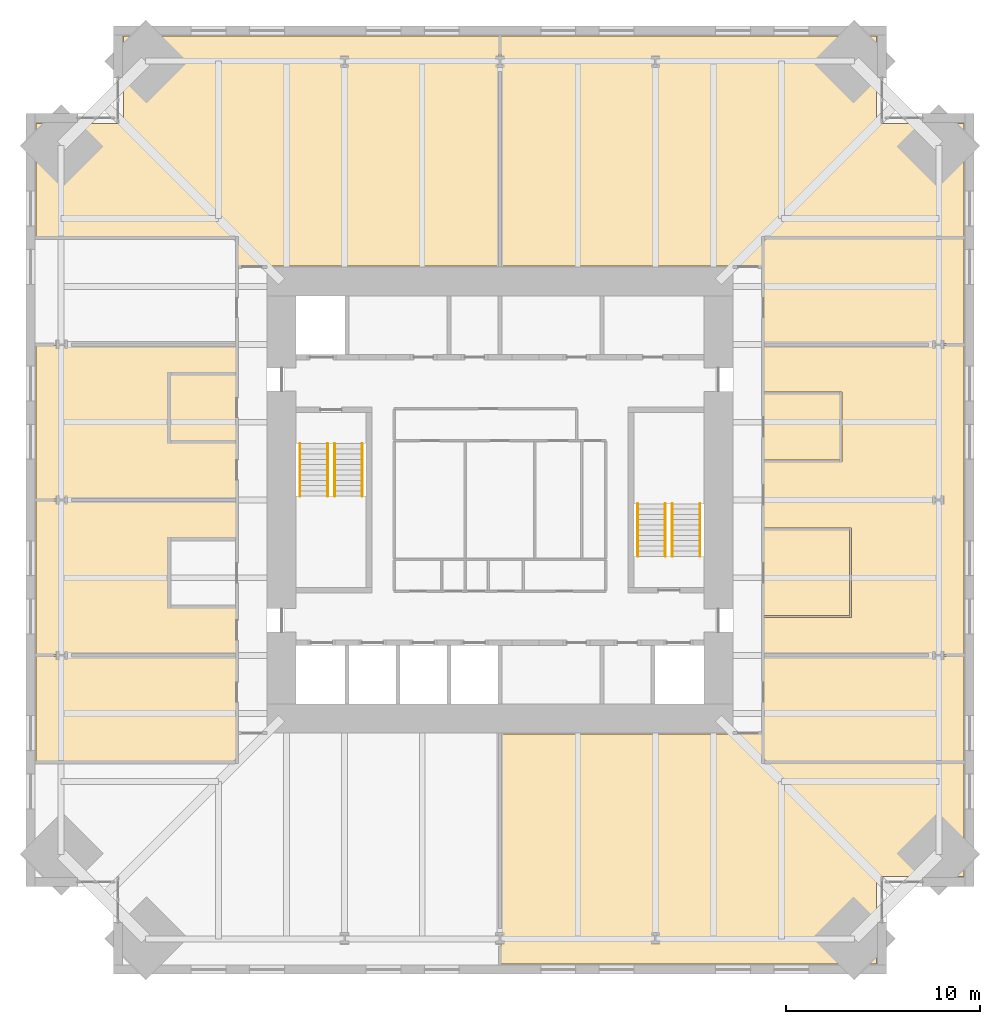
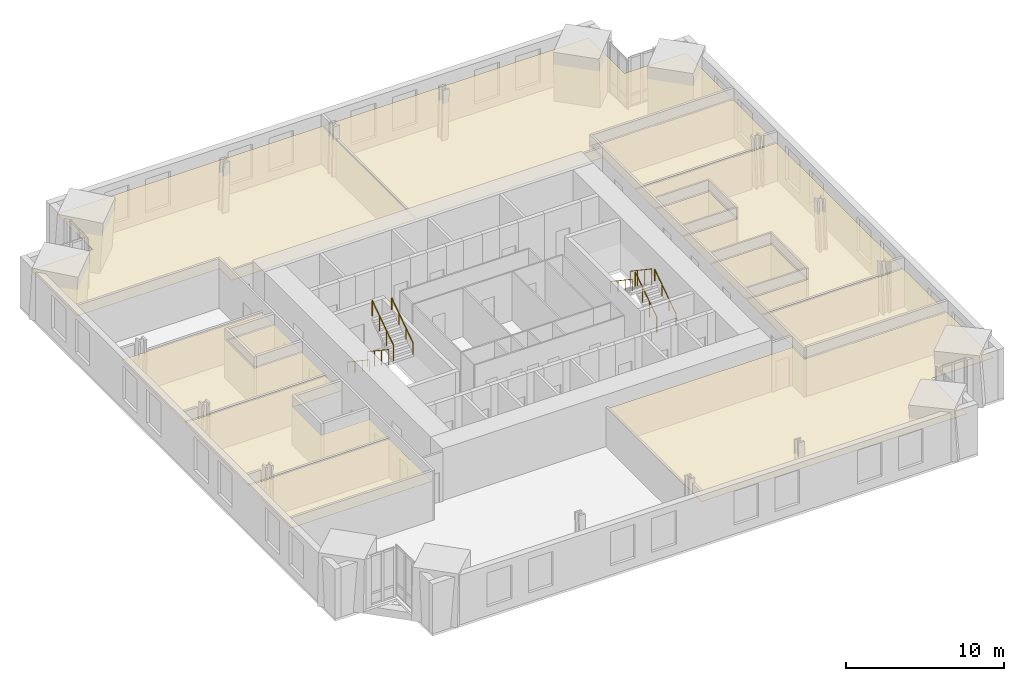
# One storey, part 15 of 15: 12 coverings, 8 railings.
"""IFC4 building model written with IfcOpenShell, lengths in metres."""

from ifc_helpers import new_model, si_unit, direction, frame, origin, origin_2d, place, context, subcontext, project, spatial, polyline, circle, outline, extrude, material, layer, layer_set, type_object, element, save


model = new_model("IFC4")

# Units and contexts
model_context = context("Model", 3, precision=1e-05, world=origin(), true_north=direction((0.0, 1.0)))
body_context = subcontext(model_context, "Body", "Model", "MODEL_VIEW")
ifc_project = project(units=[si_unit("LENGTHUNIT", "METRE"), si_unit("AREAUNIT", "SQUARE_METRE"), si_unit("VOLUMEUNIT", "CUBIC_METRE"), si_unit("PLANEANGLEUNIT", "RADIAN"), si_unit("MASSUNIT", "GRAM", prefix="KILO")], contexts=[model_context])

# Site, building, storey
site_placement = place(None, origin())
site = spatial("IfcSite", under=ifc_project, at=site_placement, CompositionType="ELEMENT")
building_placement = place(site_placement, origin())
building = spatial("IfcBuilding", under=site, at=building_placement, Name="Peilmerk Tower", CompositionType="ELEMENT")
storey_placement = place(building_placement, frame((0.0, 0.0, 205.800048828125)))
storey = spatial("IfcBuildingStorey", under=building, at=storey_placement, Name="L44", CompositionType="ELEMENT", Elevation=205.800048828125)

# Coverings
ifc_material_1 = material(Name="Mineral fibre ceiling tiles", Category="mineral")
ifc_layer = layer(ifc_material_1, 0.02490234375)
ifc_layer_set = layer_set([ifc_layer], Name="Mineral fibre ceiling tiles")
covering_type = type_object("IfcCoveringType", Name="CL1 25 suspended ceiling", PredefinedType="CEILING", material=ifc_layer_set)
covering_1_placement = place(storey_placement, frame((0.0, 0.0, 2.905029296875)))
element("IfcCovering", 1, at=covering_1_placement, inside=storey, type_object=covering_type, Name="Suspended ceiling Engineering office", PredefinedType="CEILING", context=body_context, shape_type="SweptSolid", body=[
    extrude(outline(polyline([(-23.89990234375, 19.39990234375), (-23.89990234375, 13.550048828125), (-13.5, 13.550048828125), (-13.5, 12.050048828125), (-0.050048828125, 12.050048828125), (-0.050048828125, 23.89990234375), (-19.39990234375, 23.89990234375), (-19.39990234375, 19.39990234375), (-23.89990234375, 19.39990234375)])), origin(), (0.0, 0.0, 1.0), 0.02490234375),
])
covering_2_placement = place(storey_placement, frame((0.0, 0.0, 2.905029296875)))
element("IfcCovering", 2, at=covering_2_placement, inside=storey, type_object=covering_type, Name="Suspended ceiling Hardware lab", PredefinedType="CEILING", context=body_context, shape_type="SweptSolid", body=[
    extrude(outline(polyline([(19.39990234375, 23.89990234375), (0.050048828125, 23.89990234375), (0.050048828125, 12.050048828125), (13.5, 12.050048828125), (13.5, 13.550048828125), (23.89990234375, 13.550048828125), (23.89990234375, 19.39990234375), (19.39990234375, 19.39990234375), (19.39990234375, 23.89990234375)])), origin(), (0.0, 0.0, 1.0), 0.02490234375),
])
covering_3_placement = place(storey_placement, frame((0.0, 0.0, 2.905029296875)))
element("IfcCovering", 3, at=covering_3_placement, inside=storey, type_object=covering_type, Name="Suspended ceiling Engineering office", PredefinedType="CEILING", context=body_context, shape_type="SweptSolid", body=[
    extrude(outline(polyline([(0.050048828125, -23.89990234375), (19.39990234375, -23.89990234375), (19.39990234375, -19.39990234375), (23.89990234375, -19.39990234375), (23.89990234375, -13.550048828125), (13.5, -13.550048828125), (13.5, -12.050048828125), (0.050048828125, -12.050048828125), (0.050048828125, -23.89990234375)])), origin(), (0.0, 0.0, 1.0), 0.02490234375),
])
covering_4_placement = place(storey_placement, frame((0.0, 0.0, 2.905029296875)))
element("IfcCovering", 4, at=covering_4_placement, inside=storey, type_object=covering_type, Name="Suspended ceiling Engineering office", PredefinedType="CEILING", context=body_context, shape_type="SweptSolid", body=[
    extrude(outline(polyline([(23.89990234375, -13.449951171875), (23.89990234375, -8.050048828125), (13.60009765625, -8.050048828125), (13.60009765625, -13.449951171875), (23.89990234375, -13.449951171875)])), origin(), (0.0, 0.0, 1.0), 0.02490234375),
])
covering_5_placement = place(storey_placement, frame((0.0, 0.0, 2.905029296875)))
element("IfcCovering", 5, at=covering_5_placement, inside=storey, type_object=covering_type, Name="Suspended ceiling Network monitoring room", PredefinedType="CEILING", context=body_context, shape_type="SweptSolid", body=[
    extrude(outline(polyline([(13.60009765625, -7.949951171875), (23.89990234375, -7.949951171875), (23.89990234375, 7.949951171875), (13.60009765625, 7.949951171875), (13.60009765625, 5.550048828125), (17.60009765625, 5.550048828125), (17.60009765625, 1.949951171875), (13.60009765625, 1.949951171875), (13.60009765625, -1.449951171875), (18.10009765625, -1.449951171875), (18.10009765625, -6.050048828125), (13.60009765625, -6.050048828125), (13.60009765625, -7.949951171875)])), origin(), (0.0, 0.0, 1.0), 0.02490234375),
])
covering_6_placement = place(storey_placement, frame((0.0, 0.0, 2.905029296875)))
element("IfcCovering", 6, at=covering_6_placement, inside=storey, type_object=covering_type, Name="Suspended ceiling Engineering office", PredefinedType="CEILING", context=body_context, shape_type="SweptSolid", body=[
    extrude(outline(polyline([(23.89990234375, 8.050048828125), (23.89990234375, 13.449951171875), (13.60009765625, 13.449951171875), (13.60009765625, 8.050048828125), (23.89990234375, 8.050048828125)])), origin(), (0.0, 0.0, 1.0), 0.02490234375),
])
covering_7_placement = place(storey_placement, frame((0.0, 0.0, 2.905029296875)))
element("IfcCovering", 7, at=covering_7_placement, inside=storey, type_object=covering_type, Name="Suspended ceiling Meeting room", PredefinedType="CEILING", context=body_context, shape_type="SweptSolid", body=[
    extrude(outline(polyline([(18.0, -5.949951171875), (18.0, -1.550048828125), (13.60009765625, -1.550048828125), (13.60009765625, -5.949951171875), (18.0, -5.949951171875)])), origin(), (0.0, 0.0, 1.0), 0.02490234375),
])
covering_8_placement = place(storey_placement, frame((0.0, 0.0, 2.905029296875)))
element("IfcCovering", 8, at=covering_8_placement, inside=storey, type_object=covering_type, Name="Suspended ceiling Pantry", PredefinedType="CEILING", context=body_context, shape_type="SweptSolid", body=[
    extrude(outline(polyline([(17.5, 2.050048828125), (17.5, 5.449951171875), (13.60009765625, 5.449951171875), (13.60009765625, 2.050048828125), (17.5, 2.050048828125)])), origin(), (0.0, 0.0, 1.0), 0.02490234375),
])
covering_9_placement = place(storey_placement, frame((0.0, 0.0, 2.905029296875)))
element("IfcCovering", 9, at=covering_9_placement, inside=storey, type_object=covering_type, Name="Suspended ceiling Engineering office", PredefinedType="CEILING", context=body_context, shape_type="SweptSolid", body=[
    extrude(outline(polyline([(-23.89990234375, -8.050048828125), (-23.89990234375, -13.449951171875), (-13.60009765625, -13.449951171875), (-13.60009765625, -8.050048828125), (-23.89990234375, -8.050048828125)])), origin(), (0.0, 0.0, 1.0), 0.02490234375),
])
covering_10_placement = place(storey_placement, frame((0.0, 0.0, 2.905029296875)))
element("IfcCovering", 10, at=covering_10_placement, inside=storey, type_object=covering_type, Name="Suspended ceiling Engineering office", PredefinedType="CEILING", context=body_context, shape_type="SweptSolid", body=[
    extrude(outline(polyline([(-13.60009765625, -0.050048828125), (-23.89990234375, -0.050048828125), (-23.89990234375, -7.949951171875), (-13.60009765625, -7.949951171875), (-13.60009765625, -5.550048828125), (-17.10009765625, -5.550048828125), (-17.10009765625, -1.949951171875), (-13.60009765625, -1.949951171875), (-13.60009765625, -0.050048828125)])), origin(), (0.0, 0.0, 1.0), 0.02490234375),
])
covering_11_placement = place(storey_placement, frame((0.0, 0.0, 2.905029296875)))
element("IfcCovering", 11, at=covering_11_placement, inside=storey, type_object=covering_type, Name="Suspended ceiling Engineering office", PredefinedType="CEILING", context=body_context, shape_type="SweptSolid", body=[
    extrude(outline(polyline([(-13.60009765625, 7.949951171875), (-23.89990234375, 7.949951171875), (-23.89990234375, 0.050048828125), (-13.60009765625, 0.050048828125), (-13.60009765625, 2.949951171875), (-17.10009765625, 2.949951171875), (-17.10009765625, 6.550048828125), (-13.60009765625, 6.550048828125), (-13.60009765625, 7.949951171875)])), origin(), (0.0, 0.0, 1.0), 0.02490234375),
])
covering_12_placement = place(storey_placement, frame((0.0, 0.0, 2.905029296875)))
element("IfcCovering", 12, at=covering_12_placement, inside=storey, type_object=covering_type, Name="Suspended ceiling Calibration lab", PredefinedType="CEILING", context=body_context, shape_type="SweptSolid", body=[
    extrude(outline(polyline([(-13.60009765625, 3.050048828125), (-13.60009765625, 6.449951171875), (-17.0, 6.449951171875), (-17.0, 3.050048828125), (-13.60009765625, 3.050048828125)])), origin(), (0.0, 0.0, 1.0), 0.02490234375),
])

# Railings
ifc_material_2 = material(Name="Steel flat bar balustrade", Category="steel")
railing_type_1 = type_object("IfcRailingType", Name="GR1 1200 stair guard", PredefinedType="GUARDRAIL", material=ifc_material_2)
railing_1_placement = place(storey_placement, frame((-8.8798828125, 2.89990234375, 0.181884765625)))
element("IfcRailing", 13, at=railing_1_placement, inside=storey, type_object=railing_type_1, Name="Guard stair 1 L44", PredefinedType="GUARDRAIL", context=body_context, shape_type="SweptSolid", body=[
    extrude(circle(Radius=0.02392578125, at=origin_2d()), frame((0.0, 0.0, 1.17578125), z_axis=(0.0, -0.829468130872, 0.55855404382), x_axis=(1.0, 0.0, 0.0)), (0.0, 0.0, 1.0), 3.255126953125),
    extrude(circle(Radius=0.02099609375, at=origin_2d()), origin(), (0.0, 0.0, 1.0), 1.15185546875),
    extrude(circle(Radius=0.02099609375, at=origin_2d()), frame((0.0, -0.89990234375, 0.60595703125)), (0.0, 0.0, 1.0), 1.15185546875),
    extrude(circle(Radius=0.02099609375, at=origin_2d()), frame((0.0, -1.800048828125, 1.212158203125)), (0.0, 0.0, 1.0), 1.15185546875),
    extrude(circle(Radius=0.02099609375, at=origin_2d()), frame((0.0, -2.699951171875, 1.818115234375)), (0.0, 0.0, 1.0), 1.15185546875),
])
for number, where, name in (
    (14, (-8.52001953125, 0.199951171875, 2.181884765625), "Guard stair 1 L44"),
    (15, (8.8798828125, -2.89990234375, 0.181884765625), "Guard stair 2 L44"),
):
    element("IfcRailing", number, at=place(storey_placement, frame(where)), inside=storey, type_object=railing_type_1, Name=name, PredefinedType="GUARDRAIL", context=body_context, shape_type="SweptSolid", body=[
        extrude(circle(Radius=0.02392578125, at=origin_2d()), frame((0.0, 0.0, 1.17578125), z_axis=(0.0, 0.829468130872, 0.55855404382), x_axis=(-1.0, 0.0, 0.0)), (0.0, 0.0, 1.0), 3.255126953125),
        extrude(circle(Radius=0.02099609375, at=origin_2d()), origin(), (0.0, 0.0, 1.0), 1.15185546875),
        extrude(circle(Radius=0.02099609375, at=origin_2d()), frame((0.0, 0.89990234375, 0.60595703125)), (0.0, 0.0, 1.0), 1.15185546875),
        extrude(circle(Radius=0.02099609375, at=origin_2d()), frame((0.0, 1.800048828125, 1.212158203125)), (0.0, 0.0, 1.0), 1.15185546875),
        extrude(circle(Radius=0.02099609375, at=origin_2d()), frame((0.0, 2.699951171875, 1.818115234375)), (0.0, 0.0, 1.0), 1.15185546875),
    ])
railing_2_placement = place(storey_placement, frame((8.52001953125, -0.199951171875, 2.181884765625)))
element("IfcRailing", 16, at=railing_2_placement, inside=storey, type_object=railing_type_1, Name="Guard stair 2 L44", PredefinedType="GUARDRAIL", context=body_context, shape_type="SweptSolid", body=[
    extrude(circle(Radius=0.02392578125, at=origin_2d()), frame((0.0, 0.0, 1.17578125), z_axis=(0.0, -0.829468130872, 0.55855404382), x_axis=(1.0, 0.0, 0.0)), (0.0, 0.0, 1.0), 3.255126953125),
    extrude(circle(Radius=0.02099609375, at=origin_2d()), origin(), (0.0, 0.0, 1.0), 1.15185546875),
    extrude(circle(Radius=0.02099609375, at=origin_2d()), frame((0.0, -0.89990234375, 0.60595703125)), (0.0, 0.0, 1.0), 1.15185546875),
    extrude(circle(Radius=0.02099609375, at=origin_2d()), frame((0.0, -1.800048828125, 1.212158203125)), (0.0, 0.0, 1.0), 1.15185546875),
    extrude(circle(Radius=0.02099609375, at=origin_2d()), frame((0.0, -2.699951171875, 1.818115234375)), (0.0, 0.0, 1.0), 1.15185546875),
])
ifc_material_3 = material(Name="Stainless steel tube", Category="steel")
railing_type_2 = type_object("IfcRailingType", Name="HR1 900 stair handrail", PredefinedType="HANDRAIL", material=ifc_material_3)
railing_3_placement = place(storey_placement, frame((-10.300048828125, 2.89990234375, 0.181884765625)))
element("IfcRailing", 17, at=railing_3_placement, inside=storey, type_object=railing_type_2, Name="Handrail stair 1 L44", PredefinedType="HANDRAIL", context=body_context, shape_type="SweptSolid", body=[
    extrude(circle(Radius=0.02392578125, at=origin_2d()), frame((0.0, 0.0, 0.8759765625), z_axis=(0.0, -0.829468130872, 0.55855404382), x_axis=(1.0, 0.0, 0.0)), (0.0, 0.0, 1.0), 3.255126953125),
    extrude(circle(Radius=0.02099609375, at=origin_2d()), origin(), (0.0, 0.0, 1.0), 0.851806640625),
    extrude(circle(Radius=0.02099609375, at=origin_2d()), frame((0.0, -0.89990234375, 0.60595703125)), (0.0, 0.0, 1.0), 0.851806640625),
    extrude(circle(Radius=0.02099609375, at=origin_2d()), frame((0.0, -1.800048828125, 1.212158203125)), (0.0, 0.0, 1.0), 0.851806640625),
    extrude(circle(Radius=0.02099609375, at=origin_2d()), frame((0.0, -2.699951171875, 1.818115234375)), (0.0, 0.0, 1.0), 0.851806640625),
])
for number, where, name in (
    (18, (-7.10009765625, 0.199951171875, 2.181884765625), "Handrail stair 1 L44"),
    (19, (10.300048828125, -2.89990234375, 0.181884765625), "Handrail stair 2 L44"),
):
    element("IfcRailing", number, at=place(storey_placement, frame(where)), inside=storey, type_object=railing_type_2, Name=name, PredefinedType="HANDRAIL", context=body_context, shape_type="SweptSolid", body=[
        extrude(circle(Radius=0.02392578125, at=origin_2d()), frame((0.0, 0.0, 0.8759765625), z_axis=(0.0, 0.829468130872, 0.55855404382), x_axis=(-1.0, 0.0, 0.0)), (0.0, 0.0, 1.0), 3.255126953125),
        extrude(circle(Radius=0.02099609375, at=origin_2d()), origin(), (0.0, 0.0, 1.0), 0.851806640625),
        extrude(circle(Radius=0.02099609375, at=origin_2d()), frame((0.0, 0.89990234375, 0.60595703125)), (0.0, 0.0, 1.0), 0.851806640625),
        extrude(circle(Radius=0.02099609375, at=origin_2d()), frame((0.0, 1.800048828125, 1.212158203125)), (0.0, 0.0, 1.0), 0.851806640625),
        extrude(circle(Radius=0.02099609375, at=origin_2d()), frame((0.0, 2.699951171875, 1.818115234375)), (0.0, 0.0, 1.0), 0.851806640625),
    ])
railing_4_placement = place(storey_placement, frame((7.10009765625, -0.199951171875, 2.181884765625)))
element("IfcRailing", 20, at=railing_4_placement, inside=storey, type_object=railing_type_2, Name="Handrail stair 2 L44", PredefinedType="HANDRAIL", context=body_context, shape_type="SweptSolid", body=[
    extrude(circle(Radius=0.02392578125, at=origin_2d()), frame((0.0, 0.0, 0.8759765625), z_axis=(0.0, -0.829468130872, 0.55855404382), x_axis=(1.0, 0.0, 0.0)), (0.0, 0.0, 1.0), 3.255126953125),
    extrude(circle(Radius=0.02099609375, at=origin_2d()), origin(), (0.0, 0.0, 1.0), 0.851806640625),
    extrude(circle(Radius=0.02099609375, at=origin_2d()), frame((0.0, -0.89990234375, 0.60595703125)), (0.0, 0.0, 1.0), 0.851806640625),
    extrude(circle(Radius=0.02099609375, at=origin_2d()), frame((0.0, -1.800048828125, 1.212158203125)), (0.0, 0.0, 1.0), 0.851806640625),
    extrude(circle(Radius=0.02099609375, at=origin_2d()), frame((0.0, -2.699951171875, 1.818115234375)), (0.0, 0.0, 1.0), 0.851806640625),
])

save(model, "model.ifc")
